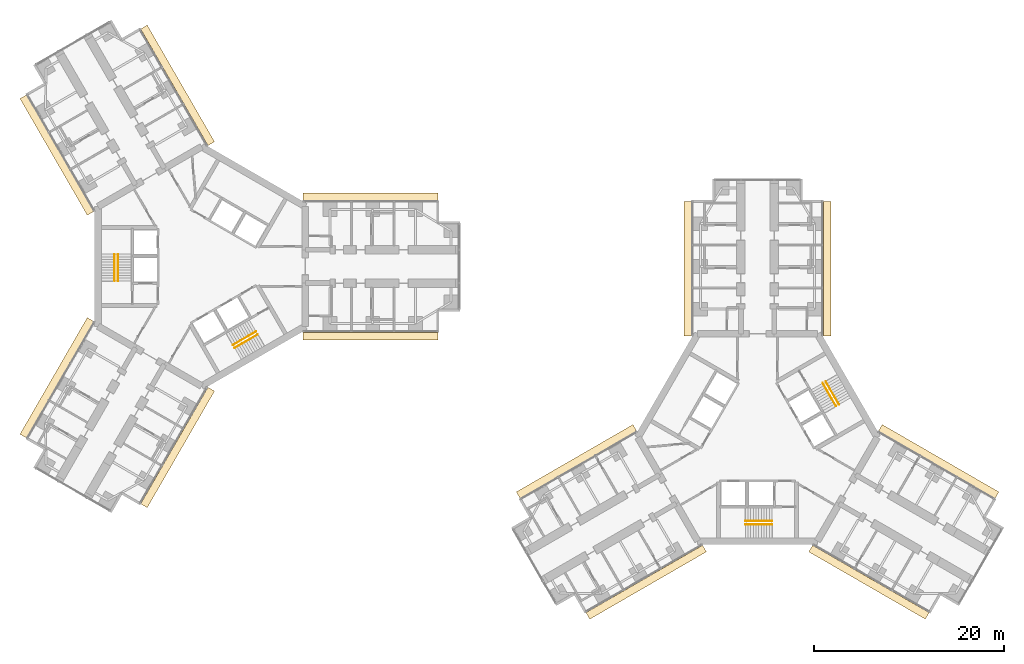
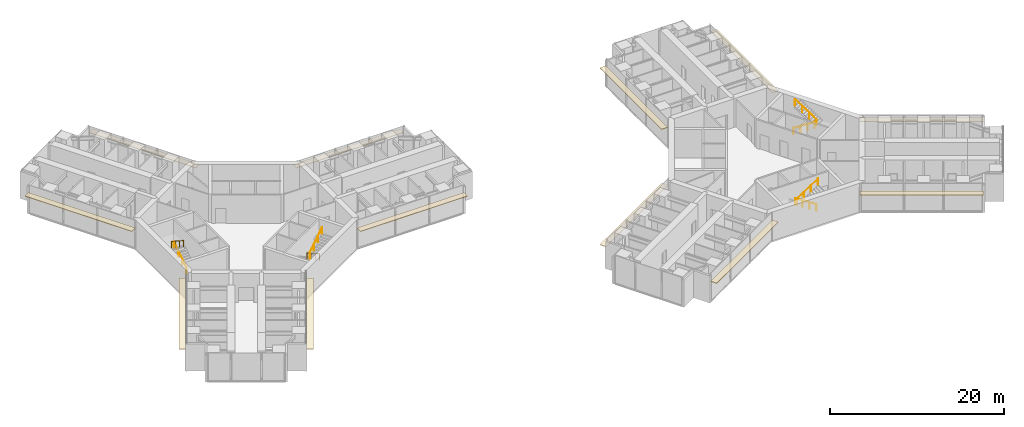
# One storey, part 24 of 24: 12 coverings, 8 railings.
"""IFC4 building model written with IfcOpenShell, lengths in metres."""

from ifc_helpers import new_model, si_unit, direction, frame, origin, origin_2d, place, context, subcontext, project, spatial, rectangle, circle, extrude, material, layer, layer_set, type_object, element, save


model = new_model("IFC4")

# Units and contexts
model_context = context("Model", 3, precision=1e-05, world=origin(), true_north=direction((0.0, 1.0)))
body_context = subcontext(model_context, "Body", "Model", "MODEL_VIEW")
ifc_project = project(units=[si_unit("LENGTHUNIT", "METRE"), si_unit("AREAUNIT", "SQUARE_METRE"), si_unit("VOLUMEUNIT", "CUBIC_METRE"), si_unit("PLANEANGLEUNIT", "RADIAN"), si_unit("MASSUNIT", "GRAM", prefix="KILO")], contexts=[model_context])

# Site, building, storey
site_placement = place(None, origin())
site = spatial("IfcSite", under=ifc_project, at=site_placement, CompositionType="ELEMENT")
building_placement = place(site_placement, origin())
building = spatial("IfcBuilding", under=site, at=building_placement, Name="Upepo Twin Towers", CompositionType="ELEMENT")
storey_placement = place(building_placement, frame((0.0, 0.0, 64.5)))
storey = spatial("IfcBuildingStorey", under=building, at=storey_placement, Name="L15", CompositionType="ELEMENT", Elevation=64.5)

# Coverings
ifc_material_1 = material(Name="Anodised aluminium, pale silver", Category="aluminium")
ifc_layer = layer(ifc_material_1, 0.080078125)
ifc_layer_set = layer_set([ifc_layer], Name="Brise-soleil blade 800 pale aluminium")
covering_type = type_object("IfcCoveringType", Name="Brise-soleil blade 800 pale aluminium", PredefinedType="USERDEFINED", material=ifc_layer_set)
for number, where, z_axis, x_axis, name in (
    (1, (17.7685546875, 7.330078125, 2.909912109375), (0.0, 0.0, 1.0), (1.0, 0.0, 0.0), "T1 L15 wing A brise-soleil L"),
    (2, (17.7685546875, -7.330078125, 2.909912109375), (0.0, 0.0, 1.0), (1.0, 0.0, 0.0), "T1 L15 wing A brise-soleil R"),
    (3, (-15.232177734375, 11.722900390625, 2.909912109375), (0.0, 0.0, 1.0), (-0.50000003023, 0.866025386331, 0.0), "T1 L15 wing B brise-soleil L"),
    (4, (-2.536376953125, 19.052978515625, 2.909912109375), (0.0, 0.0, 1.0), (-0.50000003023, 0.866025386331, 0.0), "T1 L15 wing B brise-soleil R"),
    (5, (-2.536376953125, -19.052978515625, 2.909912109375), (0.0, 0.0, 1.0), (-0.50000003023, -0.866025386331, 0.0), "T1 L15 wing C brise-soleil L"),
    (6, (-15.232177734375, -11.722900390625, 2.909912109375), (0.0, 0.0, 1.0), (-0.50000003023, -0.866025386331, 0.0), "T1 L15 wing C brise-soleil R"),
    (7, (51.169921875, -0.2314453125, 2.909912109375), (0.0, 0.0, 1.0), (0.0, 1.0, 0.0), "T2 L15 wing A brise-soleil L"),
    (8, (65.830078125, -0.2314453125, 2.909912109375), (0.0, 0.0, 1.0), (0.0, 1.0, 0.0), "T2 L15 wing A brise-soleil R"),
    (9, (46.777099609375, -33.232177734375, 2.909912109375), (0.0, 0.0, 1.0), (-0.866025386331, -0.50000003023, 0.0), "T2 L15 wing B brise-soleil L"),
    (10, (39.447021484375, -20.536376953125, 2.909912109375), (0.0, 0.0, 1.0), (-0.866025386331, -0.50000003023, 0.0), "T2 L15 wing B brise-soleil R"),
    (11, (77.552978515625, -20.536376953125, 2.909912109375), (0.0, 0.0, 1.0), (0.866025386331, -0.50000003023, 0.0), "T2 L15 wing C brise-soleil L"),
    (12, (70.222900390625, -33.232177734375, 2.909912109375), (0.0, 0.0, 1.0), (0.866025386331, -0.50000003023, 0.0), "T2 L15 wing C brise-soleil R"),
):
    element("IfcCovering", number, at=place(storey_placement, frame(where, z_axis=z_axis, x_axis=x_axis)), inside=storey, type_object=covering_type, Name=name, ObjectType="SUNSHADE", PredefinedType="USERDEFINED", context=body_context, shape_type="SweptSolid", body=[
        extrude(rectangle(XDim=14.162841796875, YDim=0.800048828125, at=origin_2d()), origin(), (0.0, 0.0, 1.0), 0.080078125),
    ])

# Railings
ifc_material_2 = material(Name="Stainless steel", Category="steel")
railing_type = type_object("IfcRailingType", Name="Stair handrail 900", PredefinedType="HANDRAIL", material=ifc_material_2)
railing_1_placement = place(storey_placement, frame((-8.800048828125, -1.52001953125, 0.181884765625)))
element("IfcRailing", 13, at=railing_1_placement, inside=storey, type_object=railing_type, Name="T1 stair S1 L15 handrail 1", PredefinedType="HANDRAIL", context=body_context, shape_type="SweptSolid", body=[
    extrude(circle(Radius=0.02392578125, at=origin_2d()), frame((0.0, 0.0, 0.8759765625), z_axis=(0.0, 0.838705829183, 0.544584733623), x_axis=(-1.0, 0.0, 0.0)), (0.0, 0.0, 1.0), 3.338623046875),
    extrude(circle(Radius=0.02099609375, at=origin_2d()), origin(), (0.0, 0.0, 1.0), 0.851806640625),
    extrude(circle(Radius=0.02099609375, at=origin_2d()), frame((0.0, 0.933349609375, 0.60595703125)), (0.0, 0.0, 1.0), 0.851806640625),
    extrude(circle(Radius=0.02099609375, at=origin_2d()), frame((0.0, 1.86669921875, 1.212158203125)), (0.0, 0.0, 1.0), 0.851806640625),
    extrude(circle(Radius=0.02099609375, at=origin_2d()), frame((0.0, 2.800048828125, 1.818115234375)), (0.0, 0.0, 1.0), 0.851806640625),
])
railing_2_placement = place(storey_placement, frame((-9.158447265625, 1.280029296875, 2.181884765625)))
element("IfcRailing", 14, at=railing_2_placement, inside=storey, type_object=railing_type, Name="T1 stair S1 L15 handrail 2", PredefinedType="HANDRAIL", context=body_context, shape_type="SweptSolid", body=[
    extrude(circle(Radius=0.02392578125, at=origin_2d()), frame((0.0, 0.0, 0.8759765625), z_axis=(0.0, -0.838705829183, 0.544584733623), x_axis=(1.0, 0.0, 0.0)), (0.0, 0.0, 1.0), 3.338623046875),
    extrude(circle(Radius=0.02099609375, at=origin_2d()), origin(), (0.0, 0.0, 1.0), 0.851806640625),
    extrude(circle(Radius=0.02099609375, at=origin_2d()), frame((0.0, -0.933349609375, 0.60595703125)), (0.0, 0.0, 1.0), 0.851806640625),
    extrude(circle(Radius=0.02099609375, at=origin_2d()), frame((0.0, -1.86669921875, 1.212158203125)), (0.0, 0.0, 1.0), 0.851806640625),
    extrude(circle(Radius=0.02099609375, at=origin_2d()), frame((0.0, -2.800048828125, 1.818115234375)), (0.0, 0.0, 1.0), 0.851806640625),
])
railing_3_placement = place(storey_placement, frame((5.71630859375, -6.861083984375, 0.181884765625)))
element("IfcRailing", 15, at=railing_3_placement, inside=storey, type_object=railing_type, Name="T1 stair S2 L15 handrail 1", PredefinedType="HANDRAIL", context=body_context, shape_type="SweptSolid", body=[
    extrude(circle(Radius=0.02392578125, at=origin_2d()), frame((0.0, 0.0, 0.8759765625), z_axis=(-0.726336304947, -0.419332699614, 0.544605966869), x_axis=(0.49998411664, -0.866034573852, 0.0)), (0.0, 0.0, 1.0), 3.33837890625),
    extrude(circle(Radius=0.02099609375, at=origin_2d()), origin(), (0.0, 0.0, 1.0), 0.851806640625),
    extrude(circle(Radius=0.02099609375, at=origin_2d()), frame((-0.808349609375, -0.466552734375, 0.60595703125)), (0.0, 0.0, 1.0), 0.851806640625),
    extrude(circle(Radius=0.02099609375, at=origin_2d()), frame((-1.616455078125, -0.933349609375, 1.212158203125)), (0.0, 0.0, 1.0), 0.851806640625),
    extrude(circle(Radius=0.02099609375, at=origin_2d()), frame((-2.4248046875, -1.39990234375, 1.818115234375)), (0.0, 0.0, 1.0), 0.851806640625),
])
railing_4_placement = place(storey_placement, frame((3.470703125, -8.5712890625, 2.181884765625)))
element("IfcRailing", 16, at=railing_4_placement, inside=storey, type_object=railing_type, Name="T1 stair S2 L15 handrail 2", PredefinedType="HANDRAIL", context=body_context, shape_type="SweptSolid", body=[
    extrude(circle(Radius=0.02392578125, at=origin_2d()), frame((0.0, 0.0, 0.8759765625), z_axis=(0.726336304947, 0.419332699614, 0.544605966869), x_axis=(-0.49998411664, 0.866034573852, 0.0)), (0.0, 0.0, 1.0), 3.33837890625),
    extrude(circle(Radius=0.02099609375, at=origin_2d()), origin(), (0.0, 0.0, 1.0), 0.851806640625),
    extrude(circle(Radius=0.02099609375, at=origin_2d()), frame((0.808349609375, 0.466552734375, 0.60595703125)), (0.0, 0.0, 1.0), 0.851806640625),
    extrude(circle(Radius=0.02099609375, at=origin_2d()), frame((1.616455078125, 0.933349609375, 1.212158203125)), (0.0, 0.0, 1.0), 0.851806640625),
    extrude(circle(Radius=0.02099609375, at=origin_2d()), frame((2.4248046875, 1.39990234375, 1.818115234375)), (0.0, 0.0, 1.0), 0.851806640625),
])
railing_5_placement = place(storey_placement, frame((60.02001953125, -26.800048828125, 0.181884765625)))
element("IfcRailing", 17, at=railing_5_placement, inside=storey, type_object=railing_type, Name="T2 stair S1 L15 handrail 1", PredefinedType="HANDRAIL", context=body_context, shape_type="SweptSolid", body=[
    extrude(circle(Radius=0.02392578125, at=origin_2d()), frame((0.0, 0.0, 0.8759765625), z_axis=(-0.838705829183, 0.0, 0.544584733623), x_axis=(0.0, -1.0, 0.0)), (0.0, 0.0, 1.0), 3.338623046875),
    extrude(circle(Radius=0.02099609375, at=origin_2d()), origin(), (0.0, 0.0, 1.0), 0.851806640625),
    extrude(circle(Radius=0.02099609375, at=origin_2d()), frame((-0.933349609375, 0.0, 0.60595703125)), (0.0, 0.0, 1.0), 0.851806640625),
    extrude(circle(Radius=0.02099609375, at=origin_2d()), frame((-1.86669921875, 0.0, 1.212158203125)), (0.0, 0.0, 1.0), 0.851806640625),
    extrude(circle(Radius=0.02099609375, at=origin_2d()), frame((-2.800048828125, 0.0, 1.818115234375)), (0.0, 0.0, 1.0), 0.851806640625),
])
railing_6_placement = place(storey_placement, frame((57.219970703125, -27.158447265625, 2.181884765625)))
element("IfcRailing", 18, at=railing_6_placement, inside=storey, type_object=railing_type, Name="T2 stair S1 L15 handrail 2", PredefinedType="HANDRAIL", context=body_context, shape_type="SweptSolid", body=[
    extrude(circle(Radius=0.02392578125, at=origin_2d()), frame((0.0, 0.0, 0.8759765625), z_axis=(0.838705829183, 0.0, 0.544584733623), x_axis=(0.0, 1.0, 0.0)), (0.0, 0.0, 1.0), 3.338623046875),
    extrude(circle(Radius=0.02099609375, at=origin_2d()), origin(), (0.0, 0.0, 1.0), 0.851806640625),
    extrude(circle(Radius=0.02099609375, at=origin_2d()), frame((0.933349609375, 0.0, 0.60595703125)), (0.0, 0.0, 1.0), 0.851806640625),
    extrude(circle(Radius=0.02099609375, at=origin_2d()), frame((1.86669921875, 0.0, 1.212158203125)), (0.0, 0.0, 1.0), 0.851806640625),
    extrude(circle(Radius=0.02099609375, at=origin_2d()), frame((2.800048828125, 0.0, 1.818115234375)), (0.0, 0.0, 1.0), 0.851806640625),
])
railing_7_placement = place(storey_placement, frame((65.361083984375, -12.28369140625, 0.181884765625)))
element("IfcRailing", 19, at=railing_7_placement, inside=storey, type_object=railing_type, Name="T2 stair S2 L15 handrail 1", PredefinedType="HANDRAIL", context=body_context, shape_type="SweptSolid", body=[
    extrude(circle(Radius=0.02392578125, at=origin_2d()), frame((0.0, 0.0, 0.8759765625), z_axis=(0.419332699614, -0.726336304947, 0.544605966869), x_axis=(0.866034573852, 0.49998411664, 0.0)), (0.0, 0.0, 1.0), 3.33837890625),
    extrude(circle(Radius=0.02099609375, at=origin_2d()), origin(), (0.0, 0.0, 1.0), 0.851806640625),
    extrude(circle(Radius=0.02099609375, at=origin_2d()), frame((0.466552734375, -0.808349609375, 0.60595703125)), (0.0, 0.0, 1.0), 0.851806640625),
    extrude(circle(Radius=0.02099609375, at=origin_2d()), frame((0.933349609375, -1.616455078125, 1.212158203125)), (0.0, 0.0, 1.0), 0.851806640625),
    extrude(circle(Radius=0.02099609375, at=origin_2d()), frame((1.39990234375, -2.4248046875, 1.818115234375)), (0.0, 0.0, 1.0), 0.851806640625),
])
railing_8_placement = place(storey_placement, frame((67.0712890625, -14.529296875, 2.181884765625)))
element("IfcRailing", 20, at=railing_8_placement, inside=storey, type_object=railing_type, Name="T2 stair S2 L15 handrail 2", PredefinedType="HANDRAIL", context=body_context, shape_type="SweptSolid", body=[
    extrude(circle(Radius=0.02392578125, at=origin_2d()), frame((0.0, 0.0, 0.8759765625), z_axis=(-0.419332699614, 0.726336304947, 0.544605966869), x_axis=(-0.866034573852, -0.49998411664, 0.0)), (0.0, 0.0, 1.0), 3.33837890625),
    extrude(circle(Radius=0.02099609375, at=origin_2d()), origin(), (0.0, 0.0, 1.0), 0.851806640625),
    extrude(circle(Radius=0.02099609375, at=origin_2d()), frame((-0.466552734375, 0.808349609375, 0.60595703125)), (0.0, 0.0, 1.0), 0.851806640625),
    extrude(circle(Radius=0.02099609375, at=origin_2d()), frame((-0.933349609375, 1.616455078125, 1.212158203125)), (0.0, 0.0, 1.0), 0.851806640625),
    extrude(circle(Radius=0.02099609375, at=origin_2d()), frame((-1.39990234375, 2.4248046875, 1.818115234375)), (0.0, 0.0, 1.0), 0.851806640625),
])

save(model, "model.ifc")
